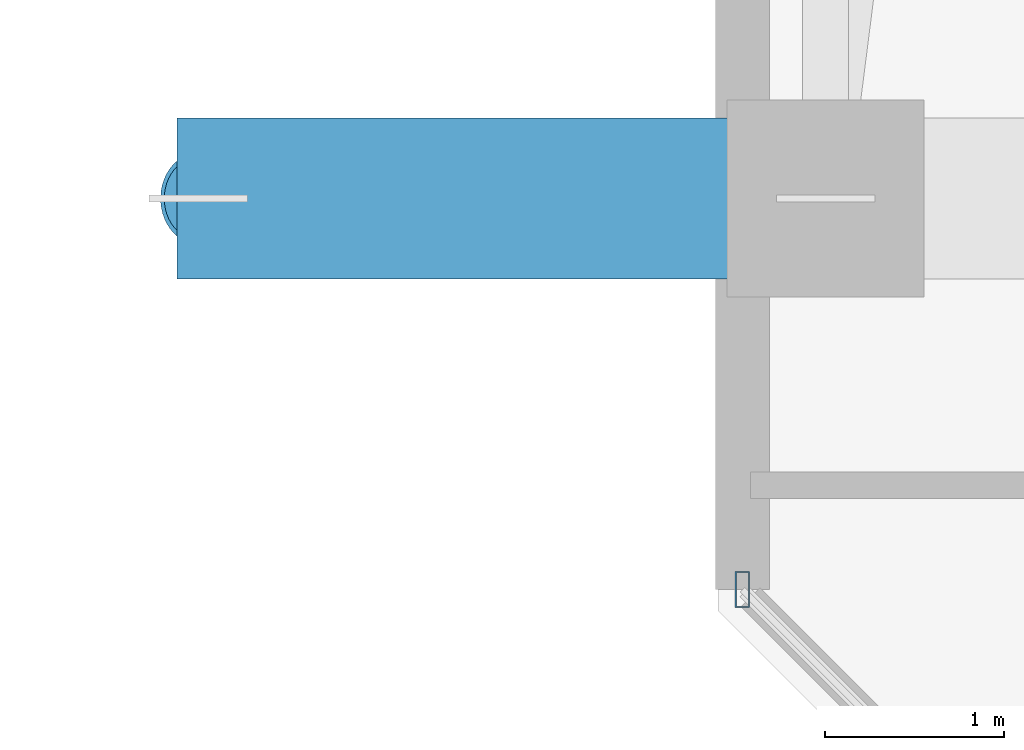
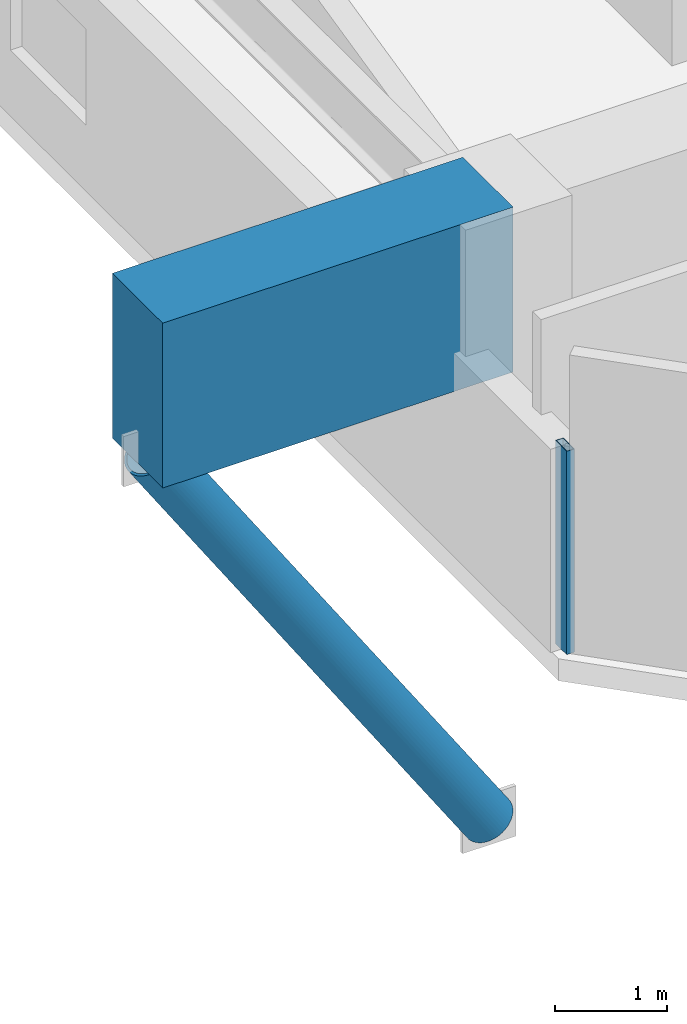
# One storey, part 6 of 36: 2 members, 1 beam, 1 element without a shape of its own.
"""IFC4 building model written with IfcOpenShell, lengths in metres."""

from ifc_helpers import new_model, si_unit, direction, frame, origin, origin_2d, place, context, subcontext, project, spatial, rectangle, hollow_rectangle, hollow_circle, extrude, material, material_profile, profile_set, type_object, element, aggregate, save


model = new_model("IFC4")

# Units and contexts
model_context = context("Model", 3, precision=1e-05, world=origin(), true_north=direction((0.0, 1.0)))
body_context = subcontext(model_context, "Body", "Model", "MODEL_VIEW")
ifc_project = project(units=[si_unit("LENGTHUNIT", "METRE"), si_unit("AREAUNIT", "SQUARE_METRE"), si_unit("VOLUMEUNIT", "CUBIC_METRE"), si_unit("PLANEANGLEUNIT", "RADIAN"), si_unit("MASSUNIT", "GRAM", prefix="KILO")], contexts=[model_context])

# Site, building, storey
site_placement = place(None, origin())
site = spatial("IfcSite", under=ifc_project, at=site_placement, CompositionType="ELEMENT")
building_placement = place(site_placement, origin())
building = spatial("IfcBuilding", under=site, at=building_placement, Name="Thornwick Lancets Civic Towers", CompositionType="ELEMENT")
storey_placement = place(building_placement, frame((0.0, 0.0, 170.699951171875)))
storey = spatial("IfcBuildingStorey", under=building, at=storey_placement, Name="L45", CompositionType="ELEMENT", Elevation=170.699951171875)

# Beam
ifc_material_1 = material(Name="Concrete C60/75", Category="concrete")
ifc_material_profile_1 = material_profile(ifc_material_1, rectangle(XDim=0.89990234375, YDim=1.800048828125, at=origin_2d()), Name="RC 900x1800")
ifc_profile_set_1 = profile_set([ifc_material_profile_1], Name="Concrete C60/75")
beam_type = type_object("IfcBeamType", Name="BM_TR_RC1800", PredefinedType="BEAM", material=ifc_profile_set_1)
beam_placement = place(storey_placement, frame((71.199951171875, 14.0, 2.699951171875), z_axis=(-1.0, 0.0, 0.0), x_axis=(0.0, -1.0, 0.0)))
element("IfcBeam", 1, at=beam_placement, inside=storey, type_object=beam_type, Name="TG-CANT-L46-B07", PredefinedType="BEAM", context=body_context, shape_type="SweptSolid", body=[
    extrude(rectangle(XDim=0.89990234375, YDim=1.800048828125, at=origin_2d()), origin(), (0.0, 0.0, 1.0), 3.619873046875),
])

# Curtain wall, member
ifc_material_2 = material(Name="Mid-zone chamfered-corner unitised glass curtain wall", Category="glass")
curtain_wall_type = type_object("IfcCurtainWallType", Name="CW_SYS_04", PredefinedType="NOTDEFINED", material=ifc_material_2)
curtain_wall_placement = place(storey_placement, origin())
curtain_wall = element("IfcCurtainWall", 2, at=curtain_wall_placement, inside=storey, type_object=curtain_wall_type, Name="L45 Curtain Wall CW-L45-B-E7", PredefinedType="NOTDEFINED")
ifc_material_3 = material(Name="Thermally broken bronze aluminium S355", Category="steel")
ifc_material_profile_2 = material_profile(ifc_material_3, hollow_rectangle(XDim=0.080078125, YDim=0.199951171875, WallThickness=0.006103515625, at=origin_2d()), Name="RHS 200x80x6")
ifc_profile_set_2 = profile_set([ifc_material_profile_2], Name="Thermally broken bronze aluminium S355")
member_type_1 = type_object("IfcMemberType", Name="CW_MUL_200", PredefinedType="MULLION", material=ifc_profile_set_2)
member_1_placement = place(storey_placement, frame((70.7353515625, 11.818603515625, 0.0), z_axis=(0.0, 0.0, 1.0), x_axis=(1.0, 0.0, 0.0)))
member_1 = element("IfcMember", 3, at=member_1_placement, type_object=member_type_1, Name="CW-L45-B-E7 Mullion 0", PredefinedType="MULLION", context=body_context, shape_type="SweptSolid", body=[
    extrude(hollow_rectangle(XDim=0.080078125, YDim=0.199951171875, WallThickness=0.006103515625, at=origin_2d()), origin(), (0.0, 0.0, 1.0), 2.219970703125),
])
aggregate(curtain_wall, [member_1])

# Member
ifc_material_4 = material(Name="Steel S460M", Category="steel")
ifc_material_profile_3 = material_profile(ifc_material_4, hollow_circle(Radius=0.25390625, WallThickness=0.02490234375, at=origin_2d()), Name="CHS 508x25")
ifc_profile_set_3 = profile_set([ifc_material_profile_3], Name="Steel S460M")
member_type_2 = type_object("IfcMemberType", Name="MEM_STRUT_CHS508", PredefinedType="STRUT", material=ifc_profile_set_3)
member_2_placement = place(storey_placement, frame((71.199951171875, 14.0, -3.349853515625), z_axis=(-0.556167580628, 0.0, 0.831070166868), x_axis=(0.0, -1.0, 0.0)))
element("IfcMember", 4, at=member_2_placement, inside=storey, type_object=member_type_2, Name="L46 Jenga Transfer Raking Strut B07", PredefinedType="STRUT", context=body_context, shape_type="SweptSolid", body=[
    extrude(hollow_circle(Radius=0.25390625, WallThickness=0.02490234375, at=origin_2d()), origin(), (0.0, 0.0, 1.0), 6.29296875),
])

save(model, "model.ifc")
